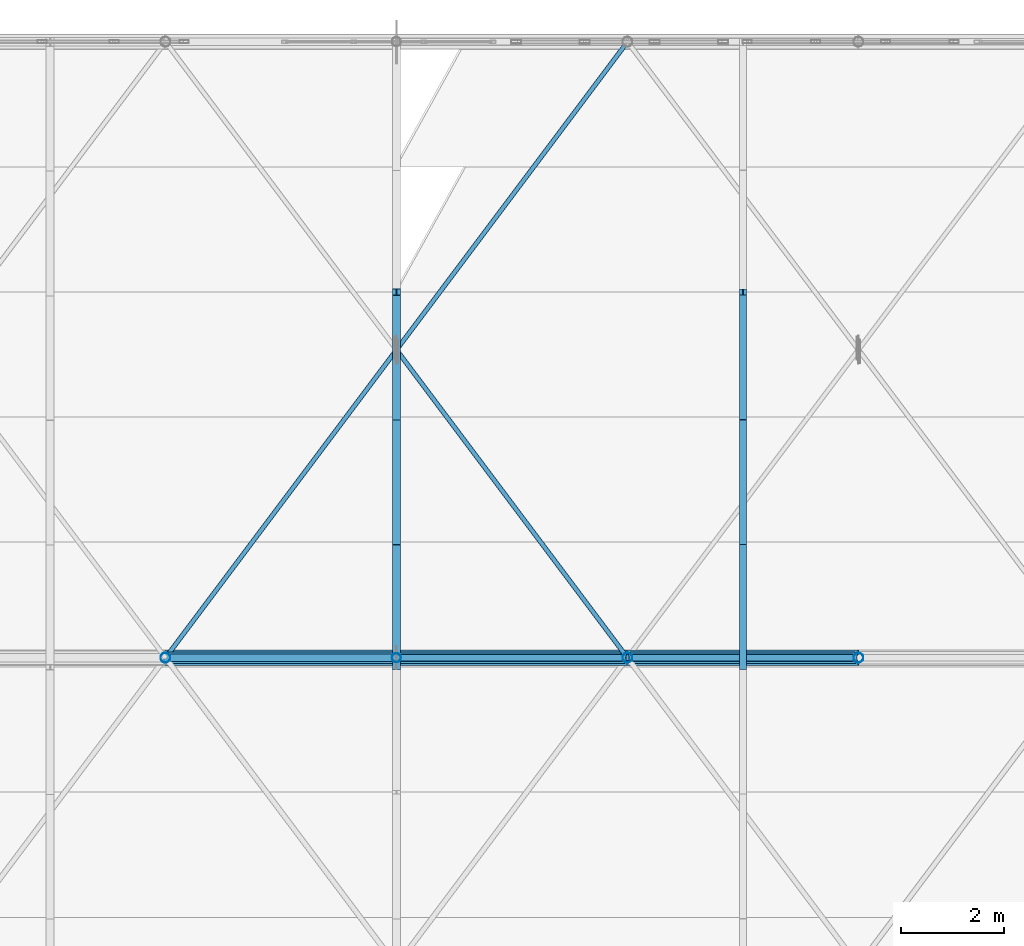
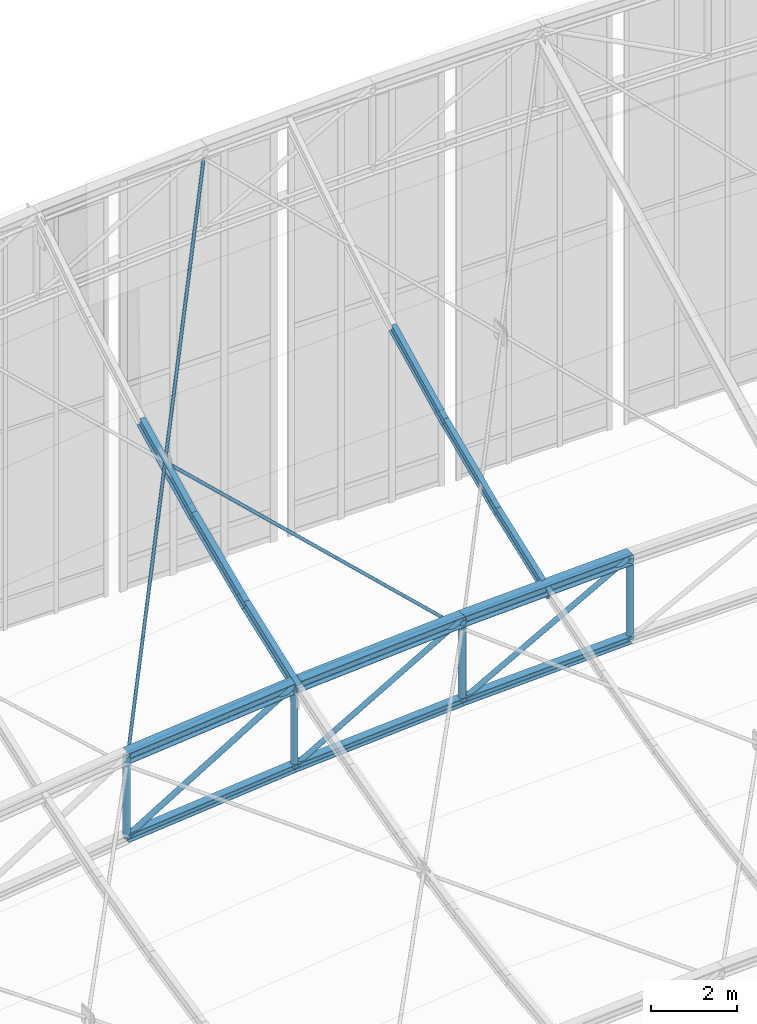
# One storey, part 116 of 262: 21 members.
"""IFC4 building model written with IfcOpenShell, lengths in metres."""

from ifc_helpers import new_model, si_unit, derived_unit, direction, frame, origin, origin_2d, place, context, subcontext, project, spatial, hollow_circle, i_section, extrude, material, material_profile, profile_set, type_object, element, save


model = new_model("IFC4")

# Units and contexts
model_context = context("Model", 3, precision=1e-05, world=origin(), true_north=direction((0.0, 1.0)))
body_context = subcontext(model_context, "Body", "Model", "MODEL_VIEW")
ifc_project = project(units=[si_unit("LENGTHUNIT", "METRE"), si_unit("AREAUNIT", "SQUARE_METRE"), si_unit("VOLUMEUNIT", "CUBIC_METRE"), si_unit("PLANEANGLEUNIT", "RADIAN"), si_unit("MASSUNIT", "GRAM", prefix="KILO"), derived_unit("THERMALTRANSMITTANCEUNIT", [(si_unit("POWERUNIT", "WATT"), 1), (si_unit("LENGTHUNIT", "METRE"), -2), (si_unit("THERMODYNAMICTEMPERATUREUNIT", "KELVIN"), -1)])], contexts=[model_context])

# Site, building, storey
site_placement = place(None, origin())
site = spatial("IfcSite", under=ifc_project, at=site_placement, CompositionType="ELEMENT")
building_placement = place(site_placement, origin())
building = spatial("IfcBuilding", under=site, at=building_placement, Name="Almenara Railside Exhibition Hall", CompositionType="ELEMENT")
storey_placement = place(building_placement, frame((0.0, 0.0, 21.699951171875)))
storey = spatial("IfcBuildingStorey", under=building, at=storey_placement, Name="RF", CompositionType="ELEMENT", Elevation=21.699951171875)

# Members
ifc_material = material(Name="Structural steel S355JR", Category="steel")
ifc_material_profile_1 = material_profile(ifc_material, i_section(OverallWidth=0.300048828125, OverallDepth=0.300048828125, WebThickness=0.010986328125, FlangeThickness=0.01904296875, FilletRadius=0.027099609375, at=origin_2d()), Name="HEB 300")
ifc_profile_set_1 = profile_set([ifc_material_profile_1], Name="Structural steel S355JR")
member_type_1 = type_object("IfcMemberType", Name="Arched Inner Top Chord HEB 300 S355JR", PredefinedType="CHORD", material=ifc_profile_set_1)
member_1_placement = place(storey_placement, frame((21.0, 120.0, 4.0634765625), z_axis=(0.995512933083, 0.0, 0.094625578275), x_axis=(0.0, 1.0, 0.0)))
element("IfcMember", 1, at=member_1_placement, inside=storey, type_object=member_type_1, Name="MEM-TC-V1-06-02", PredefinedType="CHORD", context=body_context, shape_type="SweptSolid", body=[
    extrude(i_section(OverallWidth=0.300048828125, OverallDepth=0.300048828125, WebThickness=0.010986328125, FlangeThickness=0.01904296875, FilletRadius=0.027099609375, at=origin_2d()), origin(), (0.0, 0.0, 1.0), 4.520263671875),
])
member_2_placement = place(storey_placement, frame((25.5, 120.0, 4.4912109375), z_axis=(0.997701025897, 0.0, 0.067769188608), x_axis=(0.0, 1.0, 0.0)))
element("IfcMember", 2, at=member_2_placement, inside=storey, type_object=member_type_1, Name="MEM-TC-V1-06-03", PredefinedType="CHORD", context=body_context, shape_type="SweptSolid", body=[
    extrude(i_section(OverallWidth=0.300048828125, OverallDepth=0.300048828125, WebThickness=0.010986328125, FlangeThickness=0.01904296875, FilletRadius=0.027099609375, at=origin_2d()), origin(), (0.0, 0.0, 1.0), 4.51025390625),
])
member_3_placement = place(storey_placement, frame((30.0, 120.0, 4.796875), z_axis=(0.99917098071, 0.0, 0.04071057978), x_axis=(0.0, 1.0, 0.0)))
element("IfcMember", 3, at=member_3_placement, inside=storey, type_object=member_type_1, Name="MEM-TC-V1-06-04", PredefinedType="CHORD", context=body_context, shape_type="SweptSolid", body=[
    extrude(i_section(OverallWidth=0.300048828125, OverallDepth=0.300048828125, WebThickness=0.010986328125, FlangeThickness=0.01904296875, FilletRadius=0.027099609375, at=origin_2d()), origin(), (0.0, 0.0, 1.0), 4.503662109375),
])
ifc_material_profile_2 = material_profile(ifc_material, hollow_circle(Radius=0.04443359375, WallThickness=0.00390625, at=origin_2d()), Name="CHS 88.9x4")
ifc_profile_set_2 = profile_set([ifc_material_profile_2], Name="Structural steel S355JR")
member_type_2 = type_object("IfcMemberType", Name="Canopy Tie Brace CHS 88.9x4 S355JR", PredefinedType="BRACE", material=ifc_profile_set_2)
member_4_placement = place(storey_placement, frame((21.0, 120.0, 3.783447265625), z_axis=(0.54657547258, 0.728767296773, 0.412496642324), x_axis=(-0.8, 0.6, 0.0)))
element("IfcMember", 4, at=member_4_placement, inside=storey, type_object=member_type_2, Name="MEM-WB-V1-WB-CHS89-06-02-C", PredefinedType="BRACE", context=body_context, shape_type="SweptSolid", body=[
    extrude(hollow_circle(Radius=0.04443359375, WallThickness=0.00390625, at=origin_2d()), origin(), (0.0, 0.0, 1.0), 16.466064453125),
])
member_5_placement = place(storey_placement, frame((30.0, 120.0, 4.516845703125), z_axis=(-0.565432778518, 0.7538897952, 0.334568303446), x_axis=(-0.799992139532, -0.600010480481, 0.0)))
element("IfcMember", 5, at=member_5_placement, inside=storey, type_object=member_type_2, Name="MEM-WB-V1-WB-CHS89-06-02-S1", PredefinedType="BRACE", context=body_context, shape_type="SweptSolid", body=[
    extrude(hollow_circle(Radius=0.04443359375, WallThickness=0.00390625, at=origin_2d()), origin(), (0.0, 0.0, 1.0), 7.91015625),
])
ifc_material_profile_3 = material_profile(ifc_material, i_section(OverallWidth=0.14990234375, OverallDepth=0.300048828125, WebThickness=0.007080078125, FlangeThickness=0.0107421875, FilletRadius=0.014892578125, at=origin_2d()), Name="IPE 300")
ifc_profile_set_3 = profile_set([ifc_material_profile_3], Name="Structural steel S355JR")
member_type_3 = type_object("IfcMemberType", Name="East Hall Ridge Purlin IPE 300 S355JR", PredefinedType="PURLIN", material=ifc_profile_set_3)
member_6_placement = place(storey_placement, frame((25.5, 119.81640625, 4.49072265625), z_axis=(0.0, 0.936171044044, 0.351544842508), x_axis=(-1.0, 0.0, 0.0)))
element("IfcMember", 6, at=member_6_placement, inside=storey, type_object=member_type_3, Name="MEM-PR-V1-PR-IPE300-02-23", PredefinedType="PURLIN", context=body_context, shape_type="SweptSolid", body=[
    extrude(i_section(OverallWidth=0.14990234375, OverallDepth=0.300048828125, WebThickness=0.007080078125, FlangeThickness=0.0107421875, FilletRadius=0.014892578125, at=origin_2d()), origin(), (0.0, 0.0, 1.0), 2.60302734375),
])
member_7_placement = place(storey_placement, frame((25.5, 122.253173828125, 5.39794921875), z_axis=(0.0, 0.917189812532, 0.398450558775), x_axis=(-1.0, 0.0, 0.0)))
element("IfcMember", 7, at=member_7_placement, inside=storey, type_object=member_type_3, Name="MEM-PR-V1-PR-IPE300-02-24", PredefinedType="PURLIN", context=body_context, shape_type="SweptSolid", body=[
    extrude(i_section(OverallWidth=0.14990234375, OverallDepth=0.300048828125, WebThickness=0.007080078125, FlangeThickness=0.0107421875, FilletRadius=0.014892578125, at=origin_2d()), origin(), (0.0, 0.0, 1.0), 2.65673828125),
])
member_8_placement = place(storey_placement, frame((25.5, 124.68994140625, 6.447265625), z_axis=(0.0, 0.895376074457, 0.445310773831), x_axis=(-1.0, 0.0, 0.0)))
element("IfcMember", 8, at=member_8_placement, inside=storey, type_object=member_type_3, Name="MEM-PR-V1-PR-IPE300-02-25", PredefinedType="PURLIN", context=body_context, shape_type="SweptSolid", body=[
    extrude(i_section(OverallWidth=0.14990234375, OverallDepth=0.300048828125, WebThickness=0.007080078125, FlangeThickness=0.0107421875, FilletRadius=0.014892578125, at=origin_2d()), origin(), (0.0, 0.0, 1.0), 2.721435546875),
])
ifc_material_profile_4 = material_profile(ifc_material, i_section(OverallWidth=0.135009765625, OverallDepth=0.27001953125, WebThickness=0.006591796875, FlangeThickness=0.01025390625, FilletRadius=0.014892578125, at=origin_2d()), Name="IPE 270")
ifc_profile_set_4 = profile_set([ifc_material_profile_4], Name="Structural steel S355JR")
member_type_4 = type_object("IfcMemberType", Name="East Hall Standard Purlin IPE 270 S355JR", PredefinedType="PURLIN", material=ifc_profile_set_4)
member_9_placement = place(storey_placement, frame((32.25, 119.81640625, 4.784423828125), z_axis=(0.0, 0.936171044044, 0.351544842508), x_axis=(-1.0, 0.0, 0.0)))
element("IfcMember", 9, at=member_9_placement, inside=storey, type_object=member_type_4, Name="MEM-PR-V1-PR-IPE270-03-23", PredefinedType="PURLIN", context=body_context, shape_type="SweptSolid", body=[
    extrude(i_section(OverallWidth=0.135009765625, OverallDepth=0.27001953125, WebThickness=0.006591796875, FlangeThickness=0.01025390625, FilletRadius=0.014892578125, at=origin_2d()), origin(), (0.0, 0.0, 1.0), 2.60302734375),
])
member_10_placement = place(storey_placement, frame((32.25, 122.253173828125, 5.6923828125), z_axis=(0.0, 0.917223393452, 0.398373250237), x_axis=(-1.0, 0.0, 0.0)))
element("IfcMember", 10, at=member_10_placement, inside=storey, type_object=member_type_4, Name="MEM-PR-V1-PR-IPE270-03-24", PredefinedType="PURLIN", context=body_context, shape_type="SweptSolid", body=[
    extrude(i_section(OverallWidth=0.135009765625, OverallDepth=0.27001953125, WebThickness=0.006591796875, FlangeThickness=0.01025390625, FilletRadius=0.014892578125, at=origin_2d()), origin(), (0.0, 0.0, 1.0), 2.65673828125),
])
member_11_placement = place(storey_placement, frame((32.25, 124.68994140625, 6.741943359375), z_axis=(0.0, 0.895376074457, 0.445310773831), x_axis=(-1.0, 0.0, 0.0)))
element("IfcMember", 11, at=member_11_placement, inside=storey, type_object=member_type_4, Name="MEM-PR-V1-PR-IPE270-03-25", PredefinedType="PURLIN", context=body_context, shape_type="SweptSolid", body=[
    extrude(i_section(OverallWidth=0.135009765625, OverallDepth=0.27001953125, WebThickness=0.006591796875, FlangeThickness=0.01025390625, FilletRadius=0.014892578125, at=origin_2d()), origin(), (0.0, 0.0, 1.0), 2.721435546875),
])
ifc_material_profile_5 = material_profile(ifc_material, i_section(OverallWidth=0.219970703125, OverallDepth=0.219970703125, WebThickness=0.009521484375, FlangeThickness=0.01611328125, FilletRadius=0.01806640625, at=origin_2d()), Name="HEB 220")
ifc_profile_set_5 = profile_set([ifc_material_profile_5], Name="Structural steel S355JR")
member_type_5 = type_object("IfcMemberType", Name="Scroll Tie Chord HEB 220 S355JR", PredefinedType="CHORD", material=ifc_profile_set_5)
member_12_placement = place(storey_placement, frame((21.0, 120.0, 1.763427734375), z_axis=(0.995512933083, 0.0, 0.094625578275), x_axis=(0.0, 1.0, 0.0)))
element("IfcMember", 12, at=member_12_placement, inside=storey, type_object=member_type_5, Name="MEM-BC-V1-06-02", PredefinedType="CHORD", context=body_context, shape_type="SweptSolid", body=[
    extrude(i_section(OverallWidth=0.219970703125, OverallDepth=0.219970703125, WebThickness=0.009521484375, FlangeThickness=0.01611328125, FilletRadius=0.01806640625, at=origin_2d()), origin(), (0.0, 0.0, 1.0), 4.520263671875),
])
member_13_placement = place(storey_placement, frame((25.5, 120.0, 2.191162109375), z_axis=(0.997701025897, 0.0, 0.067769188608), x_axis=(0.0, 1.0, 0.0)))
element("IfcMember", 13, at=member_13_placement, inside=storey, type_object=member_type_5, Name="MEM-BC-V1-06-03", PredefinedType="CHORD", context=body_context, shape_type="SweptSolid", body=[
    extrude(i_section(OverallWidth=0.219970703125, OverallDepth=0.219970703125, WebThickness=0.009521484375, FlangeThickness=0.01611328125, FilletRadius=0.01806640625, at=origin_2d()), origin(), (0.0, 0.0, 1.0), 4.51025390625),
])
member_14_placement = place(storey_placement, frame((30.0, 120.0, 2.496826171875), z_axis=(0.99917098071, 0.0, 0.04071057978), x_axis=(0.0, 1.0, 0.0)))
element("IfcMember", 14, at=member_14_placement, inside=storey, type_object=member_type_5, Name="MEM-BC-V1-06-04", PredefinedType="CHORD", context=body_context, shape_type="SweptSolid", body=[
    extrude(i_section(OverallWidth=0.219970703125, OverallDepth=0.219970703125, WebThickness=0.009521484375, FlangeThickness=0.01611328125, FilletRadius=0.01806640625, at=origin_2d()), origin(), (0.0, 0.0, 1.0), 4.503662109375),
])
ifc_material_profile_6 = material_profile(ifc_material, hollow_circle(Radius=0.06982421875, WallThickness=0.0048828125, at=origin_2d()), Name="CHS 139.7x5")
ifc_profile_set_6 = profile_set([ifc_material_profile_6], Name="Structural steel S355JR")
member_type_6 = type_object("IfcMemberType", Name="Truss Inner Diagonal CHS 139.7x5 S355JR", PredefinedType="BRACE", material=ifc_profile_set_6)
member_15_placement = place(storey_placement, frame((25.5, 120.0, 2.191162109375), z_axis=(0.865388781224, 0.0, 0.501101045031), x_axis=(0.0, 1.0, 0.0)))
element("IfcMember", 15, at=member_15_placement, inside=storey, type_object=member_type_6, Name="MEM-TD-V1-06-03", PredefinedType="BRACE", context=body_context, shape_type="SweptSolid", body=[
    extrude(hollow_circle(Radius=0.06982421875, WallThickness=0.0048828125, at=origin_2d()), origin(), (0.0, 0.0, 1.0), 5.199951171875),
])
member_16_placement = place(storey_placement, frame((30.0, 120.0, 2.496826171875), z_axis=(0.875525025835, 0.0, 0.483172773589), x_axis=(0.0, 1.0, 0.0)))
element("IfcMember", 16, at=member_16_placement, inside=storey, type_object=member_type_6, Name="MEM-TD-V1-06-04", PredefinedType="BRACE", context=body_context, shape_type="SweptSolid", body=[
    extrude(hollow_circle(Radius=0.06982421875, WallThickness=0.0048828125, at=origin_2d()), origin(), (0.0, 0.0, 1.0), 5.139892578125),
])
ifc_material_profile_7 = material_profile(ifc_material, hollow_circle(Radius=0.076171875, WallThickness=0.0048828125, at=origin_2d()), Name="CHS 152.4x5")
ifc_profile_set_7 = profile_set([ifc_material_profile_7], Name="Structural steel S355JR")
member_type_7 = type_object("IfcMemberType", Name="Truss Mid Diagonal CHS 152.4x5 S355JR", PredefinedType="BRACE", material=ifc_profile_set_7)
member_17_placement = place(storey_placement, frame((21.0, 120.0, 1.763427734375), z_axis=(0.855154829777, 0.0, 0.518372662386), x_axis=(0.0, 1.0, 0.0)))
element("IfcMember", 17, at=member_17_placement, inside=storey, type_object=member_type_7, Name="MEM-TD-V1-06-02", PredefinedType="BRACE", context=body_context, shape_type="SweptSolid", body=[
    extrude(hollow_circle(Radius=0.076171875, WallThickness=0.0048828125, at=origin_2d()), origin(), (0.0, 0.0, 1.0), 5.26220703125),
])
ifc_material_profile_8 = material_profile(ifc_material, hollow_circle(Radius=0.0888671875, WallThickness=0.006103515625, at=origin_2d()), Name="CHS 177.8x6")
ifc_profile_set_8 = profile_set([ifc_material_profile_8], Name="Structural steel S355JR")
member_type_8 = type_object("IfcMemberType", Name="Truss Quarter Vertical Strut CHS 177.8x6 S355JR", PredefinedType="BRACE", material=ifc_profile_set_8)
member_18_placement = place(storey_placement, frame((25.5, 120.0, 2.191162109375), z_axis=(0.0, 0.0, 1.0), x_axis=(1.0, 0.0, 0.0)))
element("IfcMember", 18, at=member_18_placement, inside=storey, type_object=member_type_8, Name="MEM-TV-V1-06-03", PredefinedType="BRACE", context=body_context, shape_type="SweptSolid", body=[
    extrude(hollow_circle(Radius=0.0888671875, WallThickness=0.006103515625, at=origin_2d()), origin(), (0.0, 0.0, 1.0), 2.300048828125),
])
ifc_material_profile_9 = material_profile(ifc_material, hollow_circle(Radius=0.096923828125, WallThickness=0.00634765625, at=origin_2d()), Name="CHS 193.7x6.3")
ifc_profile_set_9 = profile_set([ifc_material_profile_9], Name="Structural steel S355JR")
member_type_9 = type_object("IfcMemberType", Name="Truss Standard Vertical Strut CHS 193.7x6.3 S355JR", PredefinedType="BRACE", material=ifc_profile_set_9)
for number, where, z_axis, x_axis, name in (
    (19, (21.0, 120.0, 1.763427734375), (0.0, 0.0, 1.0), (1.0, 0.0, 0.0), "MEM-TV-V1-06-02"),
    (20, (30.0, 120.0, 2.496826171875), (0.0, 0.0, 1.0), (1.0, 0.0, 0.0), "MEM-TV-V1-06-04"),
    (21, (34.5, 120.0, 2.68017578125), (0.0, 0.0, 1.0), (1.0, 0.0, 0.0), "MEM-TV-V1-06-05"),
):
    element("IfcMember", number, at=place(storey_placement, frame(where, z_axis=z_axis, x_axis=x_axis)), inside=storey, type_object=member_type_9, Name=name, PredefinedType="BRACE", context=body_context, shape_type="SweptSolid", body=[
        extrude(hollow_circle(Radius=0.096923828125, WallThickness=0.00634765625, at=origin_2d()), origin(), (0.0, 0.0, 1.0), 2.300048828125),
    ])

save(model, "model.ifc")
